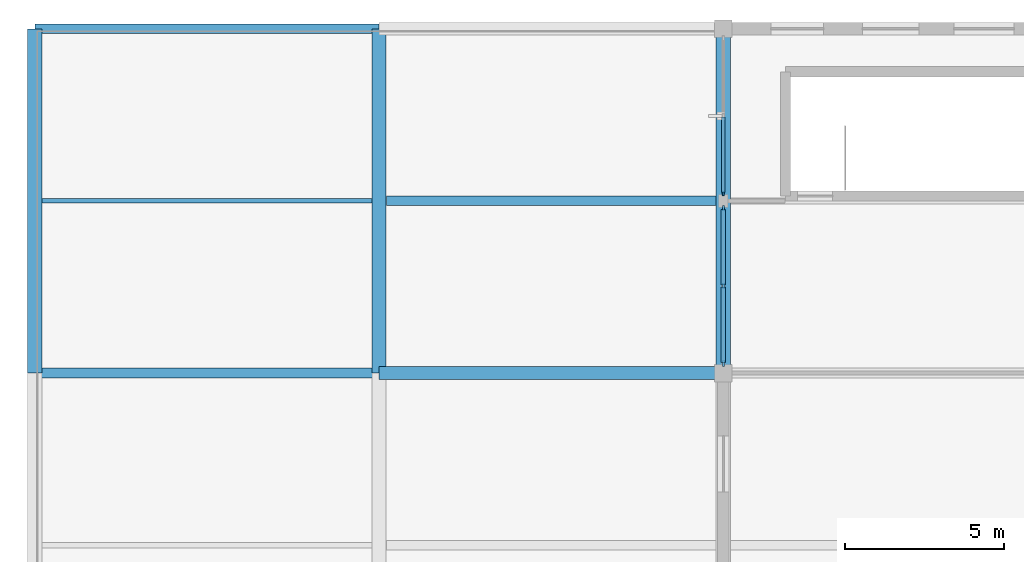
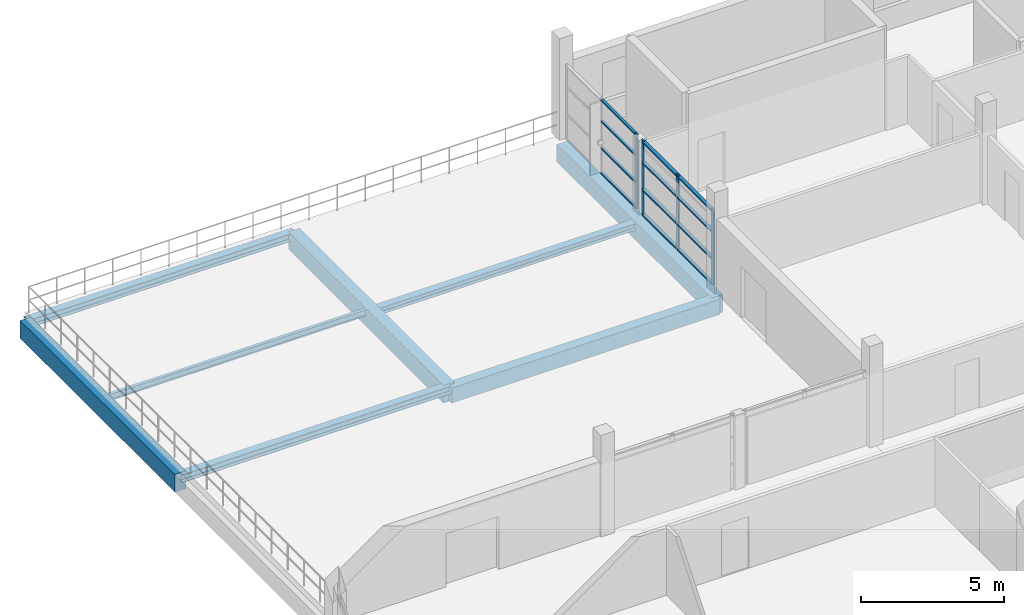
# One storey, part 7 of 15: 16 members, 8 beams, 2 elements without a shape of their own.
"""IFC4 building model written with IfcOpenShell, lengths in metres."""

from ifc_helpers import new_model, si_unit, direction, frame, origin, origin_2d, place, context, subcontext, project, spatial, rectangle, i_section, extrude, material, material_profile, profile_set, type_object, element, aggregate, save


model = new_model("IFC4")

# Units and contexts
model_context = context("Model", 3, precision=1e-05, world=origin(), true_north=direction((0.0, 1.0)))
body_context = subcontext(model_context, "Body", "Model", "MODEL_VIEW")
ifc_project = project(units=[si_unit("LENGTHUNIT", "METRE"), si_unit("AREAUNIT", "SQUARE_METRE"), si_unit("VOLUMEUNIT", "CUBIC_METRE"), si_unit("PLANEANGLEUNIT", "RADIAN"), si_unit("MASSUNIT", "GRAM", prefix="KILO")], contexts=[model_context])

# Site, building, storey
site_placement = place(None, origin())
site = spatial("IfcSite", under=ifc_project, at=site_placement, CompositionType="ELEMENT")
building_placement = place(site_placement, origin())
building = spatial("IfcBuilding", under=site, at=building_placement, Name="Zwinboog Wholesale Market", CompositionType="ELEMENT")
storey_placement = place(building_placement, frame((0.0, 0.0, 14.760009765625)))
storey = spatial("IfcBuildingStorey", under=building, at=storey_placement, Name="L03", CompositionType="ELEMENT", Elevation=14.760009765625)

# Beams
ifc_material_1 = material(Name="Precast concrete C45/55", Category="concrete")
ifc_material_profile_1 = material_profile(ifc_material_1, rectangle(XDim=0.449951171875, YDim=0.75, at=origin_2d()), Name="PC 450x750")
ifc_profile_set_1 = profile_set([ifc_material_profile_1], Name="Precast concrete C45/55")
beam_type_1 = type_object("IfcBeamType", Name="BT-04", PredefinedType="BEAM", material=ifc_profile_set_1)
for number, where, z_axis, x_axis, name in (
    (1, (151.199951171875, 32.39990234375, -0.722900390625), (0.0, 1.0, 0.0), (-1.0, 0.0, 0.0), "BG-04 (BMG-L03-1512-0324-1032)"),
    (2, (129.60009765625, 32.39990234375, -0.660888671875), (0.0, 1.0, 0.0), (-1.0, 0.0, 0.0), "BG-04 (BM-TER-L03-0214)"),
    (3, (140.39990234375, 32.39990234375, -0.660888671875), (0.0, 1.0, 0.0), (-1.0, 0.0, 0.0), "BG-04 (BM-TER-L03-0216)"),
):
    element("IfcBeam", number, at=place(storey_placement, frame(where, z_axis=z_axis, x_axis=x_axis)), inside=storey, type_object=beam_type_1, Name=name, PredefinedType="BEAM", context=body_context, shape_type="SweptSolid", body=[
        extrude(rectangle(XDim=0.449951171875, YDim=0.75, at=origin_2d()), origin(), (0.0, 0.0, 1.0), 10.800048828125),
    ])
ifc_material_profile_2 = material_profile(ifc_material_1, rectangle(XDim=0.39990234375, YDim=0.64990234375, at=origin_2d()), Name="PC 400x650")
ifc_profile_set_2 = profile_set([ifc_material_profile_2], Name="Precast concrete C45/55")
beam_type_2 = type_object("IfcBeamType", Name="BT-05", PredefinedType="BEAM", material=ifc_profile_set_2)
beam_1_placement = place(storey_placement, frame((140.39990234375, 32.39990234375, -0.673095703125), z_axis=(1.0, 0.0, 0.0), x_axis=(0.0, 1.0, 0.0)))
element("IfcBeam", 4, at=beam_1_placement, inside=storey, type_object=beam_type_2, Name="BG-05 (BM-TER-L03-0210)", PredefinedType="BEAM", context=body_context, shape_type="SweptSolid", body=[
    extrude(rectangle(XDim=0.39990234375, YDim=0.64990234375, at=origin_2d()), origin(), (0.0, 0.0, 1.0), 10.800048828125),
])
ifc_material_2 = material(Name="Steel S355", Category="steel")
ifc_material_profile_3 = material_profile(ifc_material_2, i_section(OverallWidth=0.300048828125, OverallDepth=0.340087890625, WebThickness=0.011962890625, FlangeThickness=0.021484375, FilletRadius=0.027099609375, at=origin_2d()), Name="HEB 340")
ifc_profile_set_3 = profile_set([ifc_material_profile_3], Name="Steel S355")
beam_type_3 = type_object("IfcBeamType", Name="BT-16", PredefinedType="BEAM", material=ifc_profile_set_3)
for number, where, z_axis, x_axis, name in (
    (5, (129.60009765625, 32.39990234375, -0.4560546875), (1.0, 0.0, 0.0), (0.0, 1.0, 0.0), "SB-03 (BM-TER-L03-0209)"),
    (6, (129.60009765625, 43.199951171875, -0.4560546875), (1.0, 0.0, 0.0), (0.0, 1.0, 0.0), "SB-03 (BM-TER-L03-0211)"),
):
    element("IfcBeam", number, at=place(storey_placement, frame(where, z_axis=z_axis, x_axis=x_axis)), inside=storey, type_object=beam_type_3, Name=name, PredefinedType="BEAM", context=body_context, shape_type="SweptSolid", body=[
        extrude(i_section(OverallWidth=0.300048828125, OverallDepth=0.340087890625, WebThickness=0.011962890625, FlangeThickness=0.021484375, FilletRadius=0.027099609375, at=origin_2d()), origin(), (0.0, 0.0, 1.0), 10.7998046875),
    ])
ifc_material_profile_4 = material_profile(ifc_material_2, i_section(OverallWidth=0.300048828125, OverallDepth=0.2900390625, WebThickness=0.008544921875, FlangeThickness=0.013916015625, FilletRadius=0.027099609375, at=origin_2d()), Name="HEA 300")
ifc_profile_set_4 = profile_set([ifc_material_profile_4], Name="Steel S355")
beam_type_4 = type_object("IfcBeamType", Name="BT-18", PredefinedType="JOIST", material=ifc_profile_set_4)
beam_2_placement = place(storey_placement, frame((140.625, 37.800048828125, -0.492919921875), z_axis=(1.0, 0.0, 0.0), x_axis=(0.0, 1.0, 0.0)))
element("IfcBeam", 7, at=beam_2_placement, inside=storey, type_object=beam_type_4, Name="SJ-01 (BM-TER-L03-0220)", PredefinedType="JOIST", context=body_context, shape_type="SweptSolid", body=[
    extrude(i_section(OverallWidth=0.300048828125, OverallDepth=0.2900390625, WebThickness=0.008544921875, FlangeThickness=0.013916015625, FilletRadius=0.027099609375, at=origin_2d()), origin(), (0.0, 0.0, 1.0), 10.35009765625),
])
ifc_material_profile_5 = material_profile(ifc_material_2, i_section(OverallWidth=0.135009765625, OverallDepth=0.27001953125, WebThickness=0.006591796875, FlangeThickness=0.01025390625, FilletRadius=0.014892578125, at=origin_2d()), Name="IPE 270")
ifc_profile_set_5 = profile_set([ifc_material_profile_5], Name="Steel S355")
beam_type_5 = type_object("IfcBeamType", Name="BT-21", PredefinedType="JOIST", material=ifc_profile_set_5)
beam_3_placement = place(storey_placement, frame((129.824951171875, 37.800048828125, -0.4208984375), z_axis=(1.0, 0.0, 0.0), x_axis=(0.0, 1.0, 0.0)))
element("IfcBeam", 8, at=beam_3_placement, inside=storey, type_object=beam_type_5, Name="SJ-04 (BM-TER-L03-0218)", PredefinedType="JOIST", context=body_context, shape_type="SweptSolid", body=[
    extrude(i_section(OverallWidth=0.135009765625, OverallDepth=0.27001953125, WebThickness=0.006591796875, FlangeThickness=0.01025390625, FilletRadius=0.014892578125, at=origin_2d()), origin(), (0.0, 0.0, 1.0), 10.35009765625),
])

# Curtain wall, members
ifc_material_3 = material(Name="Aluminium thermally broken curtain wall", Category="aluminium")
curtain_wall_type_1 = type_object("IfcCurtainWallType", Name="CWT-CAFE-22", PredefinedType="USERDEFINED", material=ifc_material_3)
curtain_wall_1_placement = place(storey_placement, origin())
curtain_wall_1 = element("IfcCurtainWall", 9, at=curtain_wall_1_placement, inside=storey, type_object=curtain_wall_type_1, Name="CW-05 (CW-L03-173)", ObjectType="STOREFRONT_GLAZING", PredefinedType="USERDEFINED")
ifc_material_4 = material(Name="Aluminium EN AW-6060", Category="aluminium")
ifc_material_profile_6 = material_profile(ifc_material_4, rectangle(XDim=0.06494140625, YDim=0.179931640625, at=origin_2d()), Name="AL 65x180")
ifc_profile_set_6 = profile_set([ifc_material_profile_6], Name="Aluminium EN AW-6060")
member_type_1 = type_object("IfcMemberType", Name="CWM-65x180", PredefinedType="MULLION", material=ifc_profile_set_6)
member_1_placement = place(storey_placement, frame((151.199951171875, 32.702392578125, 0.0), z_axis=(0.0, 0.0, 1.0), x_axis=(-1.0, 0.0, 0.0)))
member_1 = element("IfcMember", 10, at=member_1_placement, type_object=member_type_1, Name="CW-05 mullion 1", PredefinedType="MULLION", context=body_context, shape_type="SweptSolid", body=[
    extrude(rectangle(XDim=0.06494140625, YDim=0.179931640625, at=origin_2d()), origin(), (0.0, 0.0, 1.0), 3.169921875),
])
member_2_placement = place(storey_placement, frame((151.199951171875, 35.135009765625, 0.0), z_axis=(0.0, 0.0, 1.0), x_axis=(-1.0, 0.0, 0.0)))
member_2 = element("IfcMember", 11, at=member_2_placement, type_object=member_type_1, Name="CW-05 mullion 2", PredefinedType="MULLION", context=body_context, shape_type="SweptSolid", body=[
    extrude(rectangle(XDim=0.06494140625, YDim=0.179931640625, at=origin_2d()), origin(), (0.0, 0.0, 1.0), 3.169921875),
])
member_3_placement = place(storey_placement, frame((151.199951171875, 37.5673828125, 0.0), z_axis=(0.0, 0.0, 1.0), x_axis=(-1.0, 0.0, 0.0)))
member_3 = element("IfcMember", 12, at=member_3_placement, type_object=member_type_1, Name="CW-05 mullion 3", PredefinedType="MULLION", context=body_context, shape_type="SweptSolid", body=[
    extrude(rectangle(XDim=0.06494140625, YDim=0.179931640625, at=origin_2d()), origin(), (0.0, 0.0, 1.0), 3.169921875),
])

# Curtain wall, member
curtain_wall_type_2 = type_object("IfcCurtainWallType", Name="CWT-OFF-15", PredefinedType="USERDEFINED", material=ifc_material_3)
curtain_wall_2_placement = place(storey_placement, origin())
curtain_wall_2 = element("IfcCurtainWall", 13, at=curtain_wall_2_placement, inside=storey, type_object=curtain_wall_type_2, Name="CW-06 (CW-L03-174)", ObjectType="UNITIZED_CURTAIN_WALL", PredefinedType="USERDEFINED")
ifc_material_profile_7 = material_profile(ifc_material_4, rectangle(XDim=0.06005859375, YDim=0.14990234375, at=origin_2d()), Name="AL 60x150")
ifc_profile_set_7 = profile_set([ifc_material_profile_7], Name="Aluminium EN AW-6060")
member_type_2 = type_object("IfcMemberType", Name="CWM-60x150", PredefinedType="MULLION", material=ifc_profile_set_7)
member_4_placement = place(storey_placement, frame((151.199951171875, 38.030029296875, 0.0), z_axis=(0.0, 0.0, 1.0), x_axis=(-1.0, 0.0, 0.0)))
member_4 = element("IfcMember", 14, at=member_4_placement, type_object=member_type_2, Name="CW-06 mullion 1", PredefinedType="MULLION", context=body_context, shape_type="SweptSolid", body=[
    extrude(rectangle(XDim=0.06005859375, YDim=0.14990234375, at=origin_2d()), origin(), (0.0, 0.0, 1.0), 3.169921875),
])

# Member
ifc_material_profile_8 = material_profile(ifc_material_4, rectangle(XDim=0.139892578125, YDim=0.06494140625, at=origin_2d()), Name="AL 65x140")
ifc_profile_set_8 = profile_set([ifc_material_profile_8], Name="Aluminium EN AW-6060")
member_type_3 = type_object("IfcMemberType", Name="CWT-65x140", PredefinedType="USERDEFINED", material=ifc_profile_set_8)
member_5_placement = place(storey_placement, frame((151.199951171875, 32.735107421875, 0.032470703125), z_axis=(0.0, 1.0, 0.0), x_axis=(-1.0, 0.0, 0.0)))
member_5 = element("IfcMember", 15, at=member_5_placement, type_object=member_type_3, Name="CW-05 transom 1.1", ObjectType="TRANSOM", PredefinedType="USERDEFINED", context=body_context, shape_type="SweptSolid", body=[
    extrude(rectangle(XDim=0.139892578125, YDim=0.06494140625, at=origin_2d()), origin(), (0.0, 0.0, 1.0), 2.367431640625),
])

member_6_placement = place(storey_placement, frame((151.199951171875, 32.735107421875, 1.10009765625), z_axis=(0.0, 1.0, 0.0), x_axis=(-1.0, 0.0, 0.0)))
member_6 = element("IfcMember", 16, at=member_6_placement, type_object=member_type_3, Name="CW-05 transom 1.2", ObjectType="TRANSOM", PredefinedType="USERDEFINED", context=body_context, shape_type="SweptSolid", body=[
    extrude(rectangle(XDim=0.139892578125, YDim=0.06494140625, at=origin_2d()), origin(), (0.0, 0.0, 1.0), 2.367431640625),
])

member_7_placement = place(storey_placement, frame((151.199951171875, 32.735107421875, 2.25), z_axis=(0.0, 1.0, 0.0), x_axis=(-1.0, 0.0, 0.0)))
member_7 = element("IfcMember", 17, at=member_7_placement, type_object=member_type_3, Name="CW-05 transom 1.3", ObjectType="TRANSOM", PredefinedType="USERDEFINED", context=body_context, shape_type="SweptSolid", body=[
    extrude(rectangle(XDim=0.139892578125, YDim=0.06494140625, at=origin_2d()), origin(), (0.0, 0.0, 1.0), 2.367431640625),
])

member_8_placement = place(storey_placement, frame((151.199951171875, 32.735107421875, 3.137451171875), z_axis=(0.0, 1.0, 0.0), x_axis=(-1.0, 0.0, 0.0)))
member_8 = element("IfcMember", 18, at=member_8_placement, type_object=member_type_3, Name="CW-05 transom 1.4", ObjectType="TRANSOM", PredefinedType="USERDEFINED", context=body_context, shape_type="SweptSolid", body=[
    extrude(rectangle(XDim=0.139892578125, YDim=0.06494140625, at=origin_2d()), origin(), (0.0, 0.0, 1.0), 2.367431640625),
])

member_9_placement = place(storey_placement, frame((151.199951171875, 35.16748046875, 0.032470703125), z_axis=(0.0, 1.0, 0.0), x_axis=(-1.0, 0.0, 0.0)))
member_9 = element("IfcMember", 19, at=member_9_placement, type_object=member_type_3, Name="CW-05 transom 2.1", ObjectType="TRANSOM", PredefinedType="USERDEFINED", context=body_context, shape_type="SweptSolid", body=[
    extrude(rectangle(XDim=0.139892578125, YDim=0.06494140625, at=origin_2d()), origin(), (0.0, 0.0, 1.0), 2.367431640625),
])

member_10_placement = place(storey_placement, frame((151.199951171875, 35.16748046875, 1.10009765625), z_axis=(0.0, 1.0, 0.0), x_axis=(-1.0, 0.0, 0.0)))
member_10 = element("IfcMember", 20, at=member_10_placement, type_object=member_type_3, Name="CW-05 transom 2.2", ObjectType="TRANSOM", PredefinedType="USERDEFINED", context=body_context, shape_type="SweptSolid", body=[
    extrude(rectangle(XDim=0.139892578125, YDim=0.06494140625, at=origin_2d()), origin(), (0.0, 0.0, 1.0), 2.367431640625),
])

member_11_placement = place(storey_placement, frame((151.199951171875, 35.16748046875, 2.25), z_axis=(0.0, 1.0, 0.0), x_axis=(-1.0, 0.0, 0.0)))
member_11 = element("IfcMember", 21, at=member_11_placement, type_object=member_type_3, Name="CW-05 transom 2.3", ObjectType="TRANSOM", PredefinedType="USERDEFINED", context=body_context, shape_type="SweptSolid", body=[
    extrude(rectangle(XDim=0.139892578125, YDim=0.06494140625, at=origin_2d()), origin(), (0.0, 0.0, 1.0), 2.367431640625),
])

member_12_placement = place(storey_placement, frame((151.199951171875, 35.16748046875, 3.137451171875), z_axis=(0.0, 1.0, 0.0), x_axis=(-1.0, 0.0, 0.0)))
member_12 = element("IfcMember", 22, at=member_12_placement, type_object=member_type_3, Name="CW-05 transom 2.4", ObjectType="TRANSOM", PredefinedType="USERDEFINED", context=body_context, shape_type="SweptSolid", body=[
    extrude(rectangle(XDim=0.139892578125, YDim=0.06494140625, at=origin_2d()), origin(), (0.0, 0.0, 1.0), 2.367431640625),
])

aggregate(curtain_wall_1, [member_1, member_2, member_3, member_5, member_6, member_7, member_8, member_9, member_10, member_11, member_12])

ifc_material_profile_9 = material_profile(ifc_material_4, rectangle(XDim=0.110107421875, YDim=0.06005859375, at=origin_2d()), Name="AL 60x110")
ifc_profile_set_9 = profile_set([ifc_material_profile_9], Name="Aluminium EN AW-6060")
member_type_4 = type_object("IfcMemberType", Name="CWT-60x110", PredefinedType="USERDEFINED", material=ifc_profile_set_9)
member_13_placement = place(storey_placement, frame((151.199951171875, 38.06005859375, 0.030029296875), z_axis=(0.0, 1.0, 0.0), x_axis=(-1.0, 0.0, 0.0)))
member_13 = element("IfcMember", 23, at=member_13_placement, type_object=member_type_4, Name="CW-06 transom 1.1", ObjectType="TRANSOM", PredefinedType="USERDEFINED", context=body_context, shape_type="SweptSolid", body=[
    extrude(rectangle(XDim=0.110107421875, YDim=0.06005859375, at=origin_2d()), origin(), (0.0, 0.0, 1.0), 2.375),
])

member_14_placement = place(storey_placement, frame((151.199951171875, 38.06005859375, 1.10009765625), z_axis=(0.0, 1.0, 0.0), x_axis=(-1.0, 0.0, 0.0)))
member_14 = element("IfcMember", 24, at=member_14_placement, type_object=member_type_4, Name="CW-06 transom 1.2", ObjectType="TRANSOM", PredefinedType="USERDEFINED", context=body_context, shape_type="SweptSolid", body=[
    extrude(rectangle(XDim=0.110107421875, YDim=0.06005859375, at=origin_2d()), origin(), (0.0, 0.0, 1.0), 2.375),
])

member_15_placement = place(storey_placement, frame((151.199951171875, 38.06005859375, 2.25), z_axis=(0.0, 1.0, 0.0), x_axis=(-1.0, 0.0, 0.0)))
member_15 = element("IfcMember", 25, at=member_15_placement, type_object=member_type_4, Name="CW-06 transom 1.3", ObjectType="TRANSOM", PredefinedType="USERDEFINED", context=body_context, shape_type="SweptSolid", body=[
    extrude(rectangle(XDim=0.110107421875, YDim=0.06005859375, at=origin_2d()), origin(), (0.0, 0.0, 1.0), 2.375),
])

member_16_placement = place(storey_placement, frame((151.199951171875, 38.06005859375, 3.139892578125), z_axis=(0.0, 1.0, 0.0), x_axis=(-1.0, 0.0, 0.0)))
member_16 = element("IfcMember", 26, at=member_16_placement, type_object=member_type_4, Name="CW-06 transom 1.4", ObjectType="TRANSOM", PredefinedType="USERDEFINED", context=body_context, shape_type="SweptSolid", body=[
    extrude(rectangle(XDim=0.110107421875, YDim=0.06005859375, at=origin_2d()), origin(), (0.0, 0.0, 1.0), 2.375),
])

aggregate(curtain_wall_2, [member_4, member_13, member_14, member_15, member_16])

save(model, "model.ifc")
